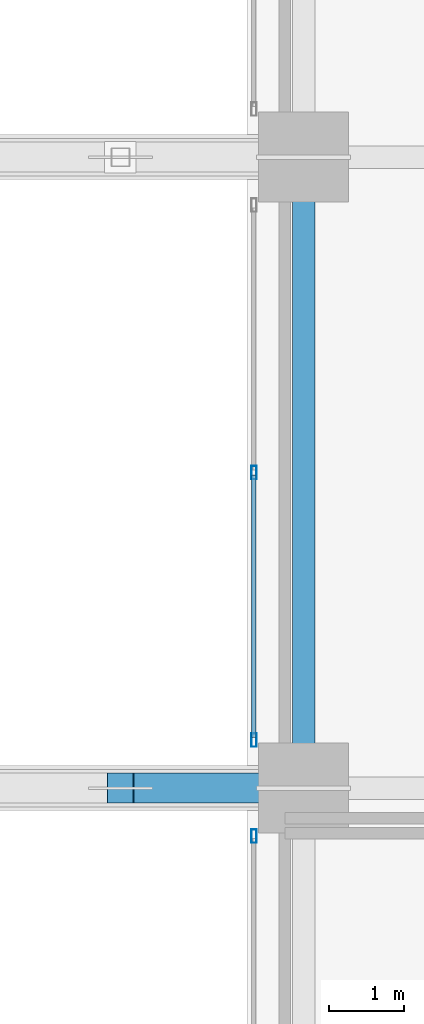
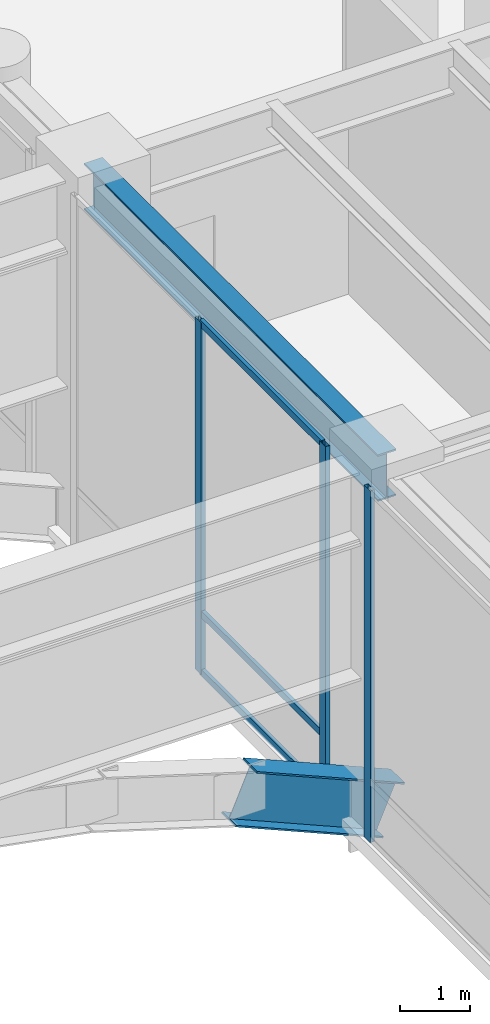
# One storey, part 24 of 50: 6 members, 2 beams, 2 elements without a shape of their own.
"""IFC4 building model written with IfcOpenShell, lengths in metres."""

from ifc_helpers import new_model, si_unit, direction, frame, origin, origin_2d, place, context, subcontext, project, spatial, hollow_rectangle, i_section, extrude, source, transform, mapped, material, layer, layer_set, material_profile, profile_set, type_object, type_shapes, element, aggregate, save


model = new_model("IFC4")

# Units and contexts
model_context = context("Model", 3, precision=1e-05, world=origin(), true_north=direction((0.0, 1.0)))
body_context = subcontext(model_context, "Body", "Model", "MODEL_VIEW")
ifc_project = project(units=[si_unit("LENGTHUNIT", "METRE"), si_unit("AREAUNIT", "SQUARE_METRE"), si_unit("VOLUMEUNIT", "CUBIC_METRE"), si_unit("PLANEANGLEUNIT", "RADIAN"), si_unit("MASSUNIT", "GRAM", prefix="KILO")], contexts=[model_context])

# Site, building, storey
site_placement = place(None, origin())
site = spatial("IfcSite", under=ifc_project, at=site_placement, CompositionType="ELEMENT")
building_placement = place(site_placement, origin())
building = spatial("IfcBuilding", under=site, at=building_placement, Name="Tolvann Quenvar Hotel", CompositionType="ELEMENT")
storey_placement = place(building_placement, frame((0.0, 0.0, 16.0)))
storey = spatial("IfcBuildingStorey", under=building, at=storey_placement, Name="L03", CompositionType="ELEMENT", Elevation=16.0)

# Beams
ifc_material_1 = material(Name="Steel Grade 350", Category="steel")
ifc_material_profile_1 = material_profile(ifc_material_1, i_section(OverallWidth=0.300048828125, OverallDepth=0.81591796875, WebThickness=0.010009765625, FlangeThickness=0.028076171875, at=origin_2d()), Name="800WB192")
ifc_profile_set_1 = profile_set([ifc_material_profile_1], Name="Steel Grade 350")
beam_type_1 = type_object("IfcBeamType", Name="BM_GIRD_800WB192", PredefinedType="BEAM", material=ifc_profile_set_1)
shared_shape_1 = source(origin(), body_context, "Body", "SweptSolid", [
    extrude(i_section(OverallWidth=0.300048828125, OverallDepth=0.81591796875, WebThickness=0.010009765625, FlangeThickness=0.028076171875, at=origin_2d()), origin(), (0.0, 0.0, 1.0), 8.39990234375),
])
type_shapes(beam_type_1, [shared_shape_1])
beam_1_placement = place(storey_placement, frame((38.25, 16.0, 5.73193359375), z_axis=(0.0, 1.0, 0.0), x_axis=(-1.0, 0.0, 0.0)))
element("IfcBeam", 1, at=beam_1_placement, inside=storey, type_object=beam_type_1, Name="BM-L03-NS-APE-2", PredefinedType="BEAM", context=body_context, shape_type="MappedRepresentation", body=[
    mapped(shared_shape_1, transform((0.0, 0.0, 0.0), x_axis=(1.0, 0.0, 0.0), y_axis=(0.0, 1.0, 0.0), z_axis=(0.0, 0.0, 1.0), scale=1.0)),
])
ifc_material_profile_2 = material_profile(ifc_material_1, i_section(OverallWidth=0.39990234375, OverallDepth=0.916015625, WebThickness=0.011962890625, FlangeThickness=0.028076171875, at=origin_2d()), Name="900WB257")
ifc_profile_set_2 = profile_set([ifc_material_profile_2], Name="Steel Grade 350")
beam_type_2 = type_object("IfcBeamType", Name="BM_ARCH_900WB257", PredefinedType="USERDEFINED", material=ifc_profile_set_2)
shared_shape_2 = source(origin(), body_context, "Body", "SweptSolid", [
    extrude(i_section(OverallWidth=0.39990234375, OverallDepth=0.916015625, WebThickness=0.011962890625, FlangeThickness=0.028076171875, at=origin_2d()), origin(), (0.0, 0.0, 1.0), 2.654052734375),
])
type_shapes(beam_type_2, [shared_shape_2])
beam_2_placement = place(storey_placement, frame((35.8125, 16.0, 1.050048828125), z_axis=(0.918405931002, 0.0, -0.395639413987), x_axis=(0.0, 1.0, 0.0)))
element("IfcBeam", 2, at=beam_2_placement, inside=storey, type_object=beam_type_2, Name="Podium Parabolic Arch Rib F3-S8", ObjectType="ARCH RIB", PredefinedType="USERDEFINED", context=body_context, shape_type="MappedRepresentation", body=[
    mapped(shared_shape_2, transform((0.0, 0.0, 0.0), x_axis=(1.0, 0.0, 0.0), y_axis=(0.0, 1.0, 0.0), z_axis=(0.0, 0.0, 1.0), scale=1.0)),
])

# Curtain wall, members
ifc_material_2 = material(Name="Thermally broken anodised architectural aluminium 6063-T6 and laminated low-E glass", Category="aluminium")
ifc_layer = layer(ifc_material_2, 0.179931640625)
ifc_layer_set = layer_set([ifc_layer], Name="Thermally broken anodised architectural aluminium 6063-T6 and laminated low-E glass")
curtain_wall_type = type_object("IfcCurtainWallType", Name="CW_SYS_ARCH_01", PredefinedType="USERDEFINED", material=ifc_layer_set)
curtain_wall_1_placement = place(storey_placement, origin())
curtain_wall_1 = element("IfcCurtainWall", 3, at=curtain_wall_1_placement, inside=storey, type_object=curtain_wall_type, Name="Curtain Wall CW-ARCH-01 (CWR-L03-E03-S2)", ObjectType="UNITISED CURTAIN WALL", PredefinedType="USERDEFINED")
ifc_material_3 = material(Name="Anodised architectural aluminium 6063-T6 framing", Category="aluminium")
ifc_material_profile_3 = material_profile(ifc_material_3, hollow_rectangle(XDim=0.070068359375, YDim=0.179931640625, WallThickness=0.00390625, at=origin_2d()), Name="180x70x4RHS")
ifc_profile_set_3 = profile_set([ifc_material_profile_3], Name="Anodised architectural aluminium 6063-T6 framing")
member_type_1 = type_object("IfcMemberType", Name="CW_MULL_180x70", PredefinedType="MULLION", material=ifc_profile_set_3)
shared_shape_3 = source(origin(), body_context, "Body", "SweptSolid", [
    extrude(hollow_rectangle(XDim=0.070068359375, YDim=0.179931640625, WallThickness=0.00390625, at=origin_2d()), origin(), (0.0, 0.0, 1.0), 6.139892578125),
])
type_shapes(member_type_1, [shared_shape_3])
member_1_placement = place(storey_placement, frame((37.590087890625, 20.199951171875, 0.0), z_axis=(0.0, 0.0, 1.0), x_axis=(1.0, 0.0, 0.0)))
member_1 = element("IfcMember", 4, at=member_1_placement, type_object=member_type_1, Name="CW-ARCH-01 mullion 2", PredefinedType="MULLION", context=body_context, shape_type="MappedRepresentation", body=[
    mapped(shared_shape_3, transform((0.0, 0.0, 0.0), x_axis=(1.0, 0.0, 0.0), y_axis=(0.0, 1.0, 0.0), z_axis=(0.0, 0.0, 1.0), scale=1.0)),
])
member_2_placement = place(storey_placement, frame((37.590087890625, 16.638916015625, 0.0), z_axis=(0.0, 0.0, 1.0), x_axis=(1.0, 0.0, 0.0)))
member_2 = element("IfcMember", 5, at=member_2_placement, type_object=member_type_1, Name="CW-ARCH-01 mullion 3", PredefinedType="MULLION", context=body_context, shape_type="MappedRepresentation", body=[
    mapped(shared_shape_3, transform((0.0, 0.0, 0.0), x_axis=(1.0, 0.0, 0.0), y_axis=(0.0, 1.0, 0.0), z_axis=(0.0, 0.0, 1.0), scale=1.0)),
])

# Curtain wall, member
curtain_wall_2_placement = place(storey_placement, origin())
curtain_wall_2 = element("IfcCurtainWall", 6, at=curtain_wall_2_placement, inside=storey, type_object=curtain_wall_type, Name="Curtain Wall CW-ARCH-01 (CWR-L03-E03-S3)", ObjectType="UNITISED CURTAIN WALL", PredefinedType="USERDEFINED")
member_3_placement = place(storey_placement, frame((37.590087890625, 15.361083984375, 0.0), z_axis=(0.0, 0.0, 1.0), x_axis=(1.0, 0.0, 0.0)))
member_3 = element("IfcMember", 7, at=member_3_placement, type_object=member_type_1, Name="CW-ARCH-01 mullion 1", PredefinedType="MULLION", context=body_context, shape_type="MappedRepresentation", body=[
    mapped(shared_shape_3, transform((0.0, 0.0, 0.0), x_axis=(1.0, 0.0, 0.0), y_axis=(0.0, 1.0, 0.0), z_axis=(0.0, 0.0, 1.0), scale=1.0)),
])
aggregate(curtain_wall_2, [member_3])

# Member
ifc_material_profile_4 = material_profile(ifc_material_3, hollow_rectangle(XDim=0.06005859375, YDim=0.1201171875, WallThickness=0.00341796875, at=origin_2d()), Name="120x60x3.5RHS")
ifc_profile_set_4 = profile_set([ifc_material_profile_4], Name="Anodised architectural aluminium 6063-T6 framing")
member_type_2 = type_object("IfcMemberType", Name="CW_TRAN_120x60", PredefinedType="USERDEFINED", material=ifc_profile_set_4)
shared_shape_4 = source(origin(), body_context, "Body", "SweptSolid", [
    extrude(hollow_rectangle(XDim=0.06005859375, YDim=0.1201171875, WallThickness=0.00341796875, at=origin_2d()), origin(), (0.0, 0.0, 1.0), 3.490966796875),
])
type_shapes(member_type_2, [shared_shape_4])
member_4_placement = place(storey_placement, frame((37.590087890625, 20.1650390625, 0.030029296875), z_axis=(0.0, -1.0, 0.0), x_axis=(1.0, 0.0, 0.0)))
member_4 = element("IfcMember", 8, at=member_4_placement, type_object=member_type_2, Name="CW-ARCH-01 transom 2.1", ObjectType="TRANSOM", PredefinedType="USERDEFINED", context=body_context, shape_type="MappedRepresentation", body=[
    mapped(shared_shape_4, transform((0.0, 0.0, 0.0), x_axis=(1.0, 0.0, 0.0), y_axis=(0.0, 1.0, 0.0), z_axis=(0.0, 0.0, 1.0), scale=1.0)),
])

member_5_placement = place(storey_placement, frame((37.590087890625, 20.1650390625, 1.050048828125), z_axis=(0.0, -1.0, 0.0), x_axis=(1.0, 0.0, 0.0)))
member_5 = element("IfcMember", 9, at=member_5_placement, type_object=member_type_2, Name="CW-ARCH-01 transom 2.2", ObjectType="TRANSOM", PredefinedType="USERDEFINED", context=body_context, shape_type="MappedRepresentation", body=[
    mapped(shared_shape_4, transform((0.0, 0.0, 0.0), x_axis=(1.0, 0.0, 0.0), y_axis=(0.0, 1.0, 0.0), z_axis=(0.0, 0.0, 1.0), scale=1.0)),
])

member_6_placement = place(storey_placement, frame((37.590087890625, 20.1650390625, 6.110107421875), z_axis=(0.0, -1.0, 0.0), x_axis=(1.0, 0.0, 0.0)))
member_6 = element("IfcMember", 10, at=member_6_placement, type_object=member_type_2, Name="CW-ARCH-01 transom 2.3", ObjectType="TRANSOM", PredefinedType="USERDEFINED", context=body_context, shape_type="MappedRepresentation", body=[
    mapped(shared_shape_4, transform((0.0, 0.0, 0.0), x_axis=(1.0, 0.0, 0.0), y_axis=(0.0, 1.0, 0.0), z_axis=(0.0, 0.0, 1.0), scale=1.0)),
])

aggregate(curtain_wall_1, [member_1, member_2, member_4, member_5, member_6])

save(model, "model.ifc")
